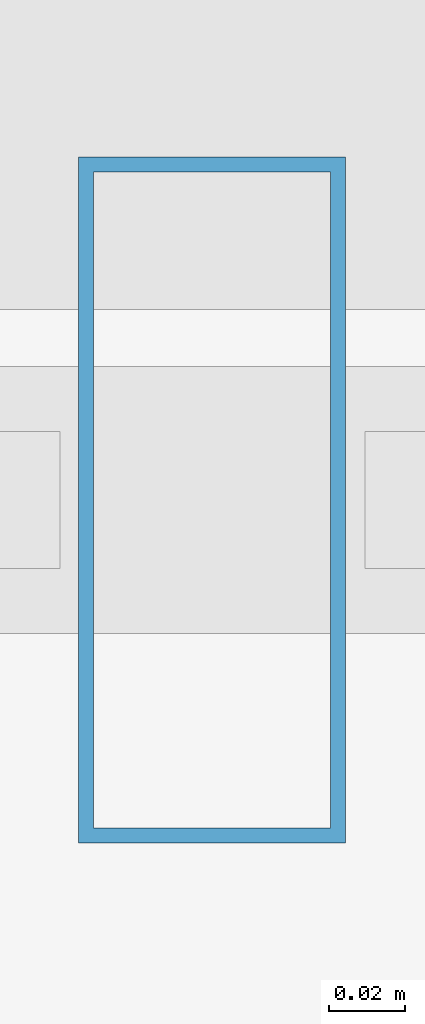
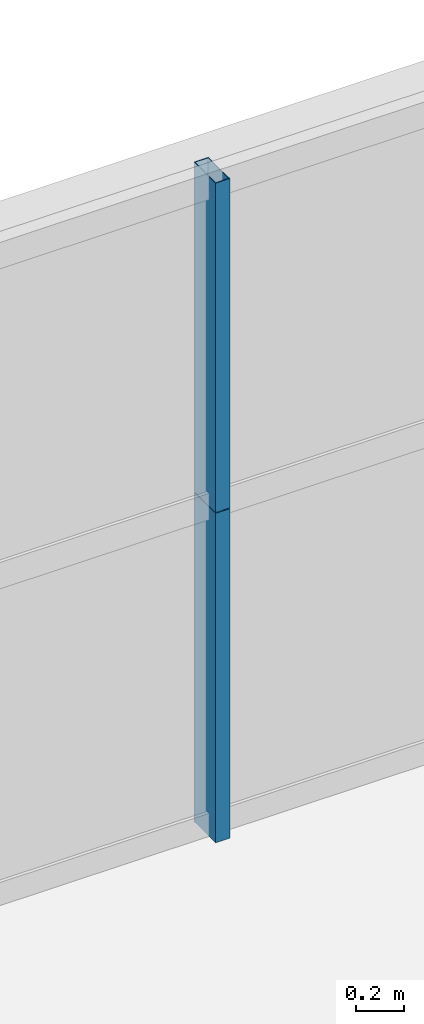
# One storey, part 29 of 45: 2 members, 1 element without a shape of its own.
"""IFC4 building model written with IfcOpenShell, lengths in metres."""

import ifcopenshell
import ifcopenshell.guid

model = None  # the IFC model being written
_history = None  # IfcOwnerHistory: only IFC2X3 demands one
_inside = {}  # id of a spatial element -> (the spatial element, [elements in it])
_under = {}  # id of a project, library or spatial element -> (it, [spatial elements below it])
_declared = {}  # id of a project -> (the project, [libraries it declares])
_typed = {}  # id of a type object -> (the type object, [elements of that type])
_made_of = {}  # id of a material, layer set ... -> (it, [elements and type objects made of it])


def new_model(schema):
    """Start an empty IFC model of exactly this schema.

    Asked for "IFC4X3", IfcOpenShell would pick the latest addendum, in which some entities
    have other attributes; the version numbers below select the first issue.
    IFC2X3 requires an IfcOwnerHistory on every rooted entity: one is made here for all.
    """
    global model, _history
    if schema == "IFC4X3":
        model = ifcopenshell.file(schema_version=(4, 3, 0, 0))
    else:
        model = ifcopenshell.file(schema=schema)
    _inside.clear()
    _under.clear()
    _declared.clear()
    _typed.clear()
    _made_of.clear()
    _history = None
    if model.schema == "IFC2X3":
        org = make("IfcOrganization", Name="unknown")
        user = make(
            "IfcPersonAndOrganization",
            ThePerson=make("IfcPerson", FamilyName="unknown"),
            TheOrganization=org,
        )
        app = make(
            "IfcApplication",
            ApplicationDeveloper=org,
            Version="unknown",
            ApplicationFullName="unknown",
            ApplicationIdentifier="unknown",
        )
        _history = make(
            "IfcOwnerHistory",
            OwningUser=user,
            OwningApplication=app,
            ChangeAction="ADDED",
            CreationDate=0,
        )
    return model


def make(cls, **values):
    """One entity of the class cls with the attributes given. An attribute that is None is left unset."""
    return model.create_entity(
        cls, **{name: value for name, value in values.items() if value is not None}
    )


def rooted(cls, **values):
    """An entity with a GlobalId (a new one), such as an element, a storey or a relation."""
    return make(cls, GlobalId=ifcopenshell.guid.new(), OwnerHistory=_history, **values)


def si_unit(unit_type, name, prefix=None):
    """IfcSIUnit, for example si_unit("LENGTHUNIT", "METRE", prefix="MILLI")."""
    return make("IfcSIUnit", UnitType=unit_type, Prefix=prefix, Name=name)


def assignment(units):
    """IfcUnitAssignment: the units of a project."""
    return None if units is None else make("IfcUnitAssignment", Units=units)


def point(xyz):
    """IfcCartesianPoint."""
    return None if xyz is None else make("IfcCartesianPoint", Coordinates=xyz)


def direction(xyz):
    """IfcDirection."""
    return None if xyz is None else make("IfcDirection", DirectionRatios=xyz)


def frame(location, z_axis=None, x_axis=None):
    """IfcAxis2Placement3D, a coordinate frame: its origin and axes. An axis left out is left unset."""
    return make(
        "IfcAxis2Placement3D",
        Location=point(location),
        Axis=direction(z_axis),
        RefDirection=direction(x_axis),
    )


def frame_2d(location, x_axis=None):
    """IfcAxis2Placement2D, a coordinate frame in the plane: its origin and x axis."""
    return make(
        "IfcAxis2Placement2D", Location=point(location), RefDirection=direction(x_axis)
    )


def origin():
    """The frame at (0, 0, 0) with its axes left unset."""
    return frame((0.0, 0.0, 0.0))


def origin_2d():
    """The frame at (0, 0) in the plane with its x axis left unset."""
    return frame_2d((0.0, 0.0))


def place(relative_to, where):
    """IfcLocalPlacement: puts the frame where relative to a parent placement (None: the world)."""
    return make(
        "IfcLocalPlacement", PlacementRelTo=relative_to, RelativePlacement=where
    )


def context(
    kind, dimensions, precision=None, world=None, true_north=None, identifier=None
):
    """IfcGeometricRepresentationContext, for example the 3D "Model" context."""
    return make(
        "IfcGeometricRepresentationContext",
        ContextIdentifier=identifier,
        ContextType=kind,
        CoordinateSpaceDimension=dimensions,
        Precision=precision,
        WorldCoordinateSystem=world,
        TrueNorth=true_north,
    )


def subcontext(parent, identifier, kind, view, scale=None):
    """IfcGeometricRepresentationSubContext, for example "Body" below "Model"."""
    return make(
        "IfcGeometricRepresentationSubContext",
        ContextIdentifier=identifier,
        ContextType=kind,
        ParentContext=parent,
        TargetScale=scale,
        TargetView=view,
    )


def project(units=None, contexts=None):
    """IfcProject with its units and contexts."""
    return rooted(
        "IfcProject",
        Name="project",
        RepresentationContexts=contexts,
        UnitsInContext=assignment(units),
    )


def spatial(cls, under=None, at=None, **own):
    """A site, building, storey or space (cls), placed at a placement, below another one or the project."""
    s = rooted(cls, ObjectPlacement=at, **own)
    if under is not None:
        _under.setdefault(under.id(), (under, []))[1].append(s)
    return s


def profile(cls, at=None, kind="AREA", **sizes):
    """A parametric profile (cls). Its sizes go by their IFC names, for example OverallWidth=200.0."""
    return make(cls, ProfileType=kind, Position=at, **sizes)


def hollow_rectangle(**sizes):
    """IfcRectangleHollowProfileDef."""
    return profile("IfcRectangleHollowProfileDef", **sizes)


def extrude(swept, where, along, depth):
    """IfcExtrudedAreaSolid: the profile swept, set in the frame where, extruded along a direction by depth."""
    return make(
        "IfcExtrudedAreaSolid",
        SweptArea=swept,
        Position=where,
        ExtrudedDirection=direction(along),
        Depth=depth,
    )


def shape(context_of_items, identifier, shape_type, items):
    """IfcShapeRepresentation: the items that make up one representation, for example the "Body"."""
    return make(
        "IfcShapeRepresentation",
        ContextOfItems=context_of_items,
        RepresentationIdentifier=identifier,
        RepresentationType=shape_type,
        Items=items,
    )


def source(mapping_origin, context_of_items, identifier, shape_type, items):
    """IfcRepresentationMap: a shape defined once, which mapped items show again and again."""
    return make(
        "IfcRepresentationMap",
        MappingOrigin=mapping_origin,
        MappedRepresentation=shape(context_of_items, identifier, shape_type, items),
    )


def transform(
    local_origin,
    x_axis=None,
    y_axis=None,
    z_axis=None,
    scale=None,
    scale2=None,
    scale3=None,
    uniform=True,
):
    """IfcCartesianTransformationOperator3D, or its non-uniform kind. x_axis, y_axis, z_axis: its Axis1, 2, 3."""
    if uniform:
        return make(
            "IfcCartesianTransformationOperator3D",
            Axis1=direction(x_axis),
            Axis2=direction(y_axis),
            LocalOrigin=point(local_origin),
            Scale=scale,
            Axis3=direction(z_axis),
        )
    return make(
        "IfcCartesianTransformationOperator3DnonUniform",
        Axis1=direction(x_axis),
        Axis2=direction(y_axis),
        LocalOrigin=point(local_origin),
        Scale=scale,
        Axis3=direction(z_axis),
        Scale2=scale2,
        Scale3=scale3,
    )


def mapped(mapping_source, mapping_target):
    """IfcMappedItem: shows the shape of a source again, moved by a transform."""
    return make(
        "IfcMappedItem", MappingSource=mapping_source, MappingTarget=mapping_target
    )


def material(Name=None, Category=None):
    """IfcMaterial."""
    return make("IfcMaterial", Name=Name, Category=Category)


def layer(
    of_material, thickness, ventilated=None, Name=None, Category=None, Priority=None
):
    """IfcMaterialLayer: one layer of a wall or slab, of a material (None: an air gap)."""
    return make(
        "IfcMaterialLayer",
        Material=of_material,
        LayerThickness=thickness,
        IsVentilated=ventilated,
        Name=Name,
        Category=Category,
        Priority=Priority,
    )


def layer_set(layers, Name=None):
    """IfcMaterialLayerSet."""
    return make("IfcMaterialLayerSet", MaterialLayers=layers, LayerSetName=Name)


def material_profile(
    of_material, cross_section, Name=None, Category=None, Priority=None
):
    """IfcMaterialProfile: a cross section and its material."""
    return make(
        "IfcMaterialProfile",
        Name=Name,
        Material=of_material,
        Profile=cross_section,
        Priority=Priority,
        Category=Category,
    )


def profile_set(profiles, Name=None, composite=None):
    """IfcMaterialProfileSet."""
    return make(
        "IfcMaterialProfileSet",
        Name=Name,
        MaterialProfiles=profiles,
        CompositeProfile=composite,
    )


def made_of(thing, what):
    """Note that an element or type object is made of a material, layer set ...; save() writes the relation."""
    if what is not None:
        _made_of.setdefault(what.id(), (what, []))[1].append(thing)
    return thing


def type_object(cls, material=None, **own):
    """A type object (cls), such as IfcWallType, which elements share."""
    return made_of(rooted(cls, **own), material)


def element(
    cls,
    number,
    at=None,
    inside=None,
    cuts=None,
    type_object=None,
    material=None,
    context=None,
    identifier="Body",
    shape_type=None,
    held_by="IfcProductDefinitionShape",
    body=None,
    shapes=None,
    **own,
):
    """One element of the class cls, such as IfcWall. Its Tag is "e" and its number.

    at: its placement. inside: the storey or other place that contains it. cuts: it is an
    opening in that element (IfcRelVoidsElement). A single representation is given by context,
    identifier, shape_type and body (its items); several are given by shapes. held_by: the class
    of the entity that holds the representations. save() writes the other relations.
    """
    e = rooted(cls, Tag="e%d" % number, ObjectPlacement=at, **own)
    if body is not None:
        shapes = [shape(context, identifier, shape_type, body)]
    if shapes is not None:
        e.Representation = make(held_by, Representations=shapes)
    if inside is not None:
        _inside.setdefault(inside.id(), (inside, []))[1].append(e)
    if cuts is not None:
        rooted(
            "IfcRelVoidsElement", RelatingBuildingElement=cuts, RelatedOpeningElement=e
        )
    if type_object is not None:
        _typed.setdefault(type_object.id(), (type_object, []))[1].append(e)
    return made_of(e, material)


def aggregate(whole, parts):
    """IfcRelAggregates: a whole, such as a stair, and the parts it consists of."""
    return rooted("IfcRelAggregates", RelatingObject=whole, RelatedObjects=parts)


def save(model, path):
    """Write the relations noted so far, then the file.

    IfcRelAggregates (storeys below a building ...), IfcRelContainedInSpatialStructure (elements
    in a storey), IfcRelDefinesByType, IfcRelAssociatesMaterial and IfcRelDeclares: one each for
    every whole, place, type object, material and project.
    """
    for whole, parts in _under.values():
        aggregate(whole, parts)
    for where, things in _inside.values():
        rooted(
            "IfcRelContainedInSpatialStructure",
            RelatedElements=things,
            RelatingStructure=where,
        )
    for kind, things in _typed.values():
        rooted("IfcRelDefinesByType", RelatedObjects=things, RelatingType=kind)
    for what, things in _made_of.values():
        rooted("IfcRelAssociatesMaterial", RelatedObjects=things, RelatingMaterial=what)
    for by, libraries in _declared.values():
        rooted("IfcRelDeclares", RelatingContext=by, RelatedDefinitions=libraries)
    model.write(path)


model = new_model("IFC4")

# Units and contexts
model_context = context("Model", 3, precision=1e-05, world=origin(), true_north=direction((0.0, 1.0)))
body_context = subcontext(model_context, "Body", "Model", "MODEL_VIEW")
ifc_project = project(units=[si_unit("LENGTHUNIT", "METRE"), si_unit("AREAUNIT", "SQUARE_METRE"), si_unit("VOLUMEUNIT", "CUBIC_METRE"), si_unit("PLANEANGLEUNIT", "RADIAN"), si_unit("MASSUNIT", "GRAM", prefix="KILO"), si_unit("THERMODYNAMICTEMPERATUREUNIT", "KELVIN"), si_unit("POWERUNIT", "WATT")], contexts=[model_context])

# Site, building, storey
site_placement = place(None, origin())
site = spatial("IfcSite", under=ifc_project, at=site_placement, CompositionType="ELEMENT")
building_placement = place(site_placement, origin())
building = spatial("IfcBuilding", under=site, at=building_placement, Name="Yuzanri Waterfront Tower", CompositionType="ELEMENT")
storey_placement = place(building_placement, frame((0.0, 0.0, 34.199951171875)))
storey = spatial("IfcBuildingStorey", under=building, at=storey_placement, Name="L08", CompositionType="ELEMENT", Elevation=34.199951171875)

# Curtain wall, members
ifc_material_1 = material(Name="Anodized Architectural Bronze", Category="metal")
ifc_layer = layer(ifc_material_1, 0.159912109375)
ifc_layer_set = layer_set([ifc_layer], Name="Anodized Architectural Bronze")
curtain_wall_type = type_object("IfcCurtainWallType", Name="Anodized Bronze Hotel Lower-Tier Recessed Unitized Curtain Wall 8100", PredefinedType="NOTDEFINED", material=ifc_layer_set)
curtain_wall_placement = place(storey_placement, origin())
curtain_wall = element("IfcCurtainWall", 1, at=curtain_wall_placement, inside=storey, type_object=curtain_wall_type, Name="L08 Curtain Wall CW-L08-NL", PredefinedType="NOTDEFINED")
ifc_material_2 = material(Name="Anodized Architectural Bronze", Category="metal")
ifc_material_profile = material_profile(ifc_material_2, hollow_rectangle(XDim=0.070068359375, YDim=0.179931640625, WallThickness=0.00390625, at=origin_2d()), Name="CWM 70x180")
ifc_profile_set = profile_set([ifc_material_profile], Name="Anodized Architectural Bronze")
member_type = type_object("IfcMemberType", Name="Anodized Bronze Standard Curtain-Wall Mullion 70x180", PredefinedType="MULLION", material=ifc_profile_set)
shared_shape = source(origin(), body_context, "Body", "SweptSolid", [
    extrude(hollow_rectangle(XDim=0.070068359375, YDim=0.179931640625, WallThickness=0.00390625, at=origin_2d()), origin(), (0.0, 0.0, 1.0), 1.68798828125),
])
member_1_placement = place(storey_placement, frame((27.89990234375, 50.75, 0.0), z_axis=(0.0, 0.0, 1.0), x_axis=(1.0, 0.0, 0.0)))
member_1 = element("IfcMember", 2, at=member_1_placement, type_object=member_type, Name="CW-L08-NL Lower Mullion 01", PredefinedType="MULLION", context=body_context, shape_type="MappedRepresentation", body=[
    mapped(shared_shape, transform((0.0, 0.0, 0.0), scale=1.0)),
])
member_2_placement = place(storey_placement, frame((27.89990234375, 50.75, 1.692138671875), z_axis=(0.0, 0.0, 1.0), x_axis=(1.0, 0.0, 0.0)))
member_2 = element("IfcMember", 3, at=member_2_placement, type_object=member_type, Name="CW-L08-NL Upper Mullion 01", PredefinedType="MULLION", context=body_context, shape_type="MappedRepresentation", body=[
    mapped(shared_shape, transform((0.0, 0.0, 0.0), scale=1.0)),
])
aggregate(curtain_wall, [member_1, member_2])

save(model, "model.ifc")
